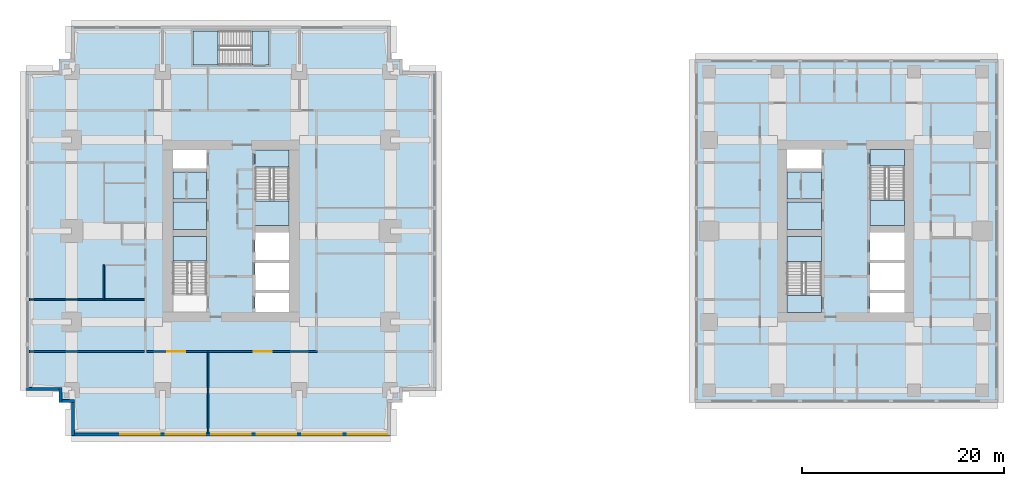
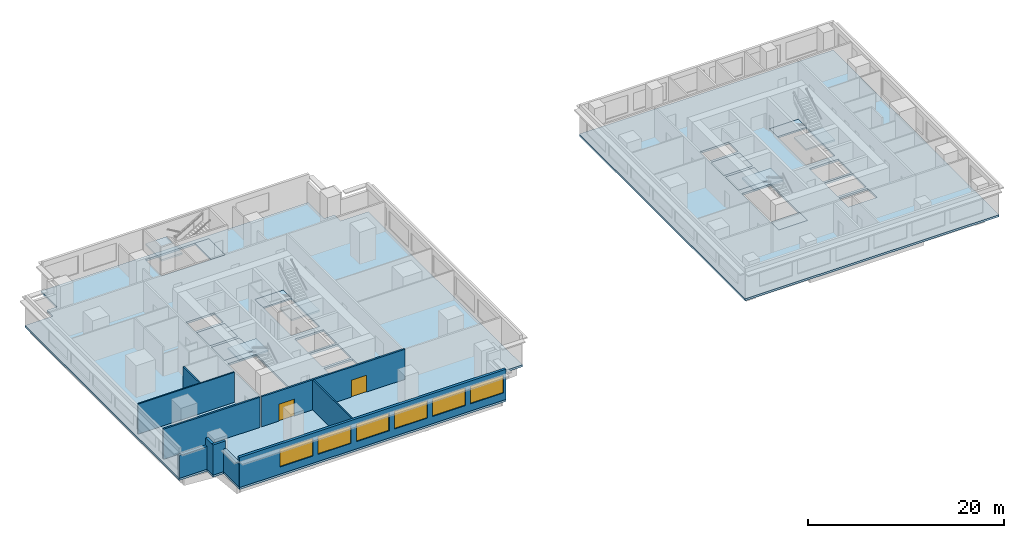
# One storey, part 2 of 11: 15 slabs, 10 walls, 6 windows, 2 doors, 8 openings, 5 elements without a shape of their own.
"""IFC4 building model written with IfcOpenShell, lengths in metres."""

from ifc_helpers import new_model, si_unit, direction, frame, frame_2d, origin, place, context, subcontext, project, spatial, polyline, rectangle, outline, extrude, material, layer, layer_set, type_object, element, fill, aggregate, save


model = new_model("IFC4")

# Units and contexts
model_context = context("Model", 3, precision=1e-05, world=origin(), true_north=direction((0.0, 1.0)))
body_context = subcontext(model_context, "Body", "Model", "MODEL_VIEW")
ifc_project = project(units=[si_unit("LENGTHUNIT", "METRE"), si_unit("AREAUNIT", "SQUARE_METRE"), si_unit("VOLUMEUNIT", "CUBIC_METRE"), si_unit("PLANEANGLEUNIT", "RADIAN"), si_unit("MASSUNIT", "GRAM", prefix="KILO")], contexts=[model_context])

# Site, building, storey
site_placement = place(None, origin())
site = spatial("IfcSite", under=ifc_project, at=site_placement, CompositionType="ELEMENT")
building_placement = place(site_placement, origin())
building = spatial("IfcBuilding", under=site, at=building_placement, Name="Namib Vertical Campus", CompositionType="ELEMENT")
storey_placement = place(building_placement, frame((0.0, 0.0, 217.0)))
storey = spatial("IfcBuildingStorey", under=building, at=storey_placement, Name="L51", CompositionType="ELEMENT", Elevation=217.0)

# Slabs
ifc_material_1 = material(Name="Concrete C40/50", Category="concrete")
ifc_layer_1 = layer(ifc_material_1, 0.25)
ifc_layer_set_1 = layer_set([ifc_layer_1], Name="Concrete C40/50")
slab_type_1 = type_object("IfcSlabType", Name="Floor slab 250", PredefinedType="FLOOR", material=ifc_layer_set_1)
slab_1_placement = place(storey_placement, frame((0.0, 0.0, -0.25)))
element("IfcSlab", 1, at=slab_1_placement, inside=storey, type_object=slab_type_1, Name="Floor slab A L51", PredefinedType="FLOOR", context=body_context, shape_type="SweptSolid", body=[
    extrude(outline(polyline([(4.5, 0.0), (36.0, 0.0), (36.0, 3.27490234375), (37.22509765625, 3.27490234375), (37.22509765625, 4.5), (40.5, 4.5), (40.5, 36.0), (37.22509765625, 36.0), (37.22509765625, 37.22509765625), (36.0, 37.22509765625), (36.0, 40.5), (4.5, 40.5), (4.5, 37.22509765625), (3.27490234375, 37.22509765625), (3.27490234375, 36.0), (0.0, 36.0), (0.0, 4.5), (3.27490234375, 4.5), (3.27490234375, 3.27490234375), (4.5, 3.27490234375), (4.5, 0.0)]), holes=[polyline([(14.5, 12.25), (17.85009765625, 12.25), (17.85009765625, 19.699951171875), (14.5, 19.699951171875), (14.5, 12.25)]), polyline([(22.64990234375, 20.800048828125), (26.0, 20.800048828125), (26.0, 28.25), (22.64990234375, 28.25), (22.64990234375, 20.800048828125)]), polyline([(22.64990234375, 12.25), (26.0, 12.25), (26.0, 14.10009765625), (22.64990234375, 14.10009765625), (22.64990234375, 12.25)]), polyline([(14.5, 20.39990234375), (17.85009765625, 20.39990234375), (17.85009765625, 23.10009765625), (14.5, 23.10009765625), (14.5, 20.39990234375)]), polyline([(14.5, 23.39990234375), (17.85009765625, 23.39990234375), (17.85009765625, 26.10009765625), (14.5, 26.10009765625), (14.5, 23.39990234375)]), polyline([(14.5, 26.39990234375), (17.85009765625, 26.39990234375), (17.85009765625, 28.25), (14.5, 28.25), (14.5, 26.39990234375)]), polyline([(22.64990234375, 14.39990234375), (26.0, 14.39990234375), (26.0, 17.10009765625), (22.64990234375, 17.10009765625), (22.64990234375, 14.39990234375)]), polyline([(22.64990234375, 17.39990234375), (26.0, 17.39990234375), (26.0, 20.10009765625), (22.64990234375, 20.10009765625), (22.64990234375, 17.39990234375)]), polyline([(16.5, 36.64990234375), (24.0, 36.64990234375), (24.0, 40.0), (16.5, 40.0), (16.5, 36.64990234375)])]), origin(), (0.0, 0.0, 1.0), 0.25),
])
slab_2_placement = place(storey_placement, frame((0.0, 0.0, -0.25)))
element("IfcSlab", 2, at=slab_2_placement, inside=storey, type_object=slab_type_1, Name="Floor slab B L51", PredefinedType="FLOOR", context=body_context, shape_type="SweptSolid", body=[
    extrude(outline(polyline([(66.10009765625, 3.300048828125), (96.050048828125, 3.300048828125), (96.050048828125, 37.199951171875), (66.10009765625, 37.199951171875), (66.10009765625, 3.300048828125)]), holes=[polyline([(75.199951171875, 12.199951171875), (78.60009765625, 12.199951171875), (78.60009765625, 19.699951171875), (75.199951171875, 19.699951171875), (75.199951171875, 12.199951171875)]), polyline([(83.39990234375, 20.800048828125), (86.800048828125, 20.800048828125), (86.800048828125, 28.300048828125), (83.39990234375, 28.300048828125), (83.39990234375, 20.800048828125)]), polyline([(83.39990234375, 12.199951171875), (86.800048828125, 12.199951171875), (86.800048828125, 14.10009765625), (83.39990234375, 14.10009765625), (83.39990234375, 12.199951171875)]), polyline([(75.199951171875, 20.39990234375), (78.60009765625, 20.39990234375), (78.60009765625, 23.10009765625), (75.199951171875, 23.10009765625), (75.199951171875, 20.39990234375)]), polyline([(75.199951171875, 23.39990234375), (78.60009765625, 23.39990234375), (78.60009765625, 26.10009765625), (75.199951171875, 26.10009765625), (75.199951171875, 23.39990234375)]), polyline([(75.199951171875, 26.39990234375), (78.60009765625, 26.39990234375), (78.60009765625, 28.300048828125), (75.199951171875, 28.300048828125), (75.199951171875, 26.39990234375)]), polyline([(83.39990234375, 14.39990234375), (86.800048828125, 14.39990234375), (86.800048828125, 17.10009765625), (83.39990234375, 17.10009765625), (83.39990234375, 14.39990234375)]), polyline([(83.39990234375, 17.39990234375), (86.800048828125, 17.39990234375), (86.800048828125, 20.10009765625), (83.39990234375, 20.10009765625), (83.39990234375, 17.39990234375)])]), origin(), (0.0, 0.0, 1.0), 0.25),
])
ifc_material_2 = material(Name="Concrete C40/50 precast", Category="concrete")
ifc_layer_2 = layer(ifc_material_2, 0.25)
ifc_layer_set_2 = layer_set([ifc_layer_2], Name="Concrete C40/50 precast")
slab_type_2 = type_object("IfcSlabType", Name="Shaft infill floor 250", PredefinedType="FLOOR", material=ifc_layer_set_2)
slab_3_placement = place(storey_placement, frame((0.0, 0.0, -0.25)))
element("IfcSlab", 3, at=slab_3_placement, inside=storey, type_object=slab_type_2, Name="Shaft infill floor A L51 P1", PredefinedType="FLOOR", context=body_context, shape_type="SweptSolid", body=[
    extrude(outline(polyline([(14.5, 20.39990234375), (17.85009765625, 20.39990234375), (17.85009765625, 23.10009765625), (14.5, 23.10009765625), (14.5, 20.39990234375)])), origin(), (0.0, 0.0, 1.0), 0.25),
])
slab_4_placement = place(storey_placement, frame((0.0, 0.0, -0.25)))
element("IfcSlab", 4, at=slab_4_placement, inside=storey, type_object=slab_type_2, Name="Shaft infill floor A L51 P2", PredefinedType="FLOOR", context=body_context, shape_type="SweptSolid", body=[
    extrude(outline(polyline([(14.5, 23.39990234375), (17.85009765625, 23.39990234375), (17.85009765625, 26.10009765625), (14.5, 26.10009765625), (14.5, 23.39990234375)])), origin(), (0.0, 0.0, 1.0), 0.25),
])
slab_5_placement = place(storey_placement, frame((0.0, 0.0, -0.25)))
element("IfcSlab", 5, at=slab_5_placement, inside=storey, type_object=slab_type_2, Name="Shaft infill floor B L51 P1", PredefinedType="FLOOR", context=body_context, shape_type="SweptSolid", body=[
    extrude(outline(polyline([(75.199951171875, 20.39990234375), (78.60009765625, 20.39990234375), (78.60009765625, 23.10009765625), (75.199951171875, 23.10009765625), (75.199951171875, 20.39990234375)])), origin(), (0.0, 0.0, 1.0), 0.25),
])
slab_6_placement = place(storey_placement, frame((0.0, 0.0, -0.25)))
element("IfcSlab", 6, at=slab_6_placement, inside=storey, type_object=slab_type_2, Name="Shaft infill floor B L51 P2", PredefinedType="FLOOR", context=body_context, shape_type="SweptSolid", body=[
    extrude(outline(polyline([(75.199951171875, 23.39990234375), (78.60009765625, 23.39990234375), (78.60009765625, 26.10009765625), (75.199951171875, 26.10009765625), (75.199951171875, 23.39990234375)])), origin(), (0.0, 0.0, 1.0), 0.25),
])

# Stair, slab
ifc_material_3 = material(Name="Concrete C40/50 precast", Category="concrete")
stair_type_1 = type_object("IfcStairType", Name="Exit stair 4000 rise 24 risers 3350 wide", PredefinedType="HALF_TURN_STAIR", material=ifc_material_3)
stair_1_placement = place(storey_placement, origin())
stair_1 = element("IfcStair", 7, at=stair_1_placement, inside=storey, type_object=stair_type_1, Name="Exit stair A-S1 L51", PredefinedType="HALF_TURN_STAIR")
ifc_material_4 = material(Name="Concrete C40/50", Category="concrete")
ifc_layer_3 = layer(ifc_material_4, 0.199951171875)
ifc_layer_set_3 = layer_set([ifc_layer_3], Name="Concrete C40/50")
slab_type_3 = type_object("IfcSlabType", Name="Stair landing 200", PredefinedType="LANDING", material=ifc_layer_set_3)
slab_7_placement = place(storey_placement, frame((0.0, 0.0, 1.800048828125)))
slab_7 = element("IfcSlab", 8, at=slab_7_placement, type_object=slab_type_3, Name="A-S1 landing 2", PredefinedType="LANDING", context=body_context, shape_type="SweptSolid", body=[
    extrude(outline(polyline([(14.5, 17.276123046875), (17.85009765625, 17.276123046875), (17.85009765625, 19.699951171875), (14.5, 19.699951171875), (14.5, 17.276123046875)])), origin(), (0.0, 0.0, 1.0), 0.199951171875),
])
aggregate(stair_1, [slab_7])

# Stair, slabs
stair_2_placement = place(storey_placement, origin())
stair_2 = element("IfcStair", 9, at=stair_2_placement, inside=storey, type_object=stair_type_1, Name="Exit stair A-S2 L51", PredefinedType="HALF_TURN_STAIR")
slab_8_placement = place(storey_placement, frame((0.0, 0.0, -0.199951171875)))
slab_8 = element("IfcSlab", 10, at=slab_8_placement, type_object=slab_type_3, Name="A-S2 landing 1", PredefinedType="LANDING", context=body_context, shape_type="SweptSolid", body=[
    extrude(outline(polyline([(22.64990234375, 26.59619140625), (26.0, 26.59619140625), (26.0, 28.25), (22.64990234375, 28.25), (22.64990234375, 26.59619140625)])), origin(), (0.0, 0.0, 1.0), 0.199951171875),
])
slab_9_placement = place(storey_placement, frame((0.0, 0.0, 1.800048828125)))
slab_9 = element("IfcSlab", 11, at=slab_9_placement, type_object=slab_type_3, Name="A-S2 landing 2", PredefinedType="LANDING", context=body_context, shape_type="SweptSolid", body=[
    extrude(outline(polyline([(22.64990234375, 20.800048828125), (26.0, 20.800048828125), (26.0, 23.223876953125), (22.64990234375, 23.223876953125), (22.64990234375, 20.800048828125)])), origin(), (0.0, 0.0, 1.0), 0.199951171875),
])
aggregate(stair_2, [slab_8, slab_9])

ifc_material_5 = material(Name="Concrete C40/50 precast", Category="concrete")
stair_type_2 = type_object("IfcStairType", Name="Exit stair 4000 rise 24 risers 3400 wide", PredefinedType="HALF_TURN_STAIR", material=ifc_material_5)
stair_3_placement = place(storey_placement, origin())
stair_3 = element("IfcStair", 12, at=stair_3_placement, inside=storey, type_object=stair_type_2, Name="Exit stair B-S1 L51", PredefinedType="HALF_TURN_STAIR")
slab_10_placement = place(storey_placement, frame((0.0, 0.0, -0.199951171875)))
slab_10 = element("IfcSlab", 13, at=slab_10_placement, type_object=slab_type_3, Name="B-S1 landing 1", PredefinedType="LANDING", context=body_context, shape_type="SweptSolid", body=[
    extrude(outline(polyline([(75.199951171875, 12.199951171875), (78.60009765625, 12.199951171875), (78.60009765625, 13.85400390625), (75.199951171875, 13.85400390625), (75.199951171875, 12.199951171875)])), origin(), (0.0, 0.0, 1.0), 0.199951171875),
])
slab_11_placement = place(storey_placement, frame((0.0, 0.0, 1.800048828125)))
slab_11 = element("IfcSlab", 14, at=slab_11_placement, type_object=slab_type_3, Name="B-S1 landing 2", PredefinedType="LANDING", context=body_context, shape_type="SweptSolid", body=[
    extrude(outline(polyline([(75.199951171875, 17.22607421875), (78.60009765625, 17.22607421875), (78.60009765625, 19.699951171875), (75.199951171875, 19.699951171875), (75.199951171875, 17.22607421875)])), origin(), (0.0, 0.0, 1.0), 0.199951171875),
])
aggregate(stair_3, [slab_10, slab_11])

stair_4_placement = place(storey_placement, origin())
stair_4 = element("IfcStair", 15, at=stair_4_placement, inside=storey, type_object=stair_type_2, Name="Exit stair B-S2 L51", PredefinedType="HALF_TURN_STAIR")
slab_12_placement = place(storey_placement, frame((0.0, 0.0, -0.199951171875)))
slab_12 = element("IfcSlab", 16, at=slab_12_placement, type_object=slab_type_3, Name="B-S2 landing 1", PredefinedType="LANDING", context=body_context, shape_type="SweptSolid", body=[
    extrude(outline(polyline([(83.39990234375, 26.64599609375), (86.800048828125, 26.64599609375), (86.800048828125, 28.300048828125), (83.39990234375, 28.300048828125), (83.39990234375, 26.64599609375)])), origin(), (0.0, 0.0, 1.0), 0.199951171875),
])
slab_13_placement = place(storey_placement, frame((0.0, 0.0, 1.800048828125)))
slab_13 = element("IfcSlab", 17, at=slab_13_placement, type_object=slab_type_3, Name="B-S2 landing 2", PredefinedType="LANDING", context=body_context, shape_type="SweptSolid", body=[
    extrude(outline(polyline([(83.39990234375, 20.800048828125), (86.800048828125, 20.800048828125), (86.800048828125, 23.27392578125), (83.39990234375, 23.27392578125), (83.39990234375, 20.800048828125)])), origin(), (0.0, 0.0, 1.0), 0.199951171875),
])
aggregate(stair_4, [slab_12, slab_13])

stair_5_placement = place(storey_placement, origin())
stair_5 = element("IfcStair", 18, at=stair_5_placement, inside=storey, type_object=stair_type_1, Name="Exit stair A-S3 L51", PredefinedType="HALF_TURN_STAIR")
slab_14_placement = place(storey_placement, frame((0.0, 0.0, -0.199951171875)))
slab_14 = element("IfcSlab", 19, at=slab_14_placement, type_object=slab_type_3, Name="A-S3 landing 1", PredefinedType="LANDING", context=body_context, shape_type="SweptSolid", body=[
    extrude(outline(polyline([(22.34619140625, 36.64990234375), (22.34619140625, 40.0), (24.0, 40.0), (24.0, 36.64990234375), (22.34619140625, 36.64990234375)])), origin(), (0.0, 0.0, 1.0), 0.199951171875),
])
slab_15_placement = place(storey_placement, frame((0.0, 0.0, 1.800048828125)))
slab_15 = element("IfcSlab", 20, at=slab_15_placement, type_object=slab_type_3, Name="A-S3 landing 2", PredefinedType="LANDING", context=body_context, shape_type="SweptSolid", body=[
    extrude(outline(polyline([(16.5, 36.64990234375), (16.5, 40.0), (18.973876953125, 40.0), (18.973876953125, 36.64990234375), (16.5, 36.64990234375)])), origin(), (0.0, 0.0, 1.0), 0.199951171875),
])
aggregate(stair_5, [slab_14, slab_15])

# Wall, openings, doors
ifc_material_6 = material(Name="Concrete masonry", Category="masonry")
ifc_layer_4 = layer(ifc_material_6, 0.199951171875)
ifc_layer_set_4 = layer_set([ifc_layer_4], Name="Corridor wall 200")
wall_type_1 = type_object("IfcWallType", Name="Corridor wall 200", PredefinedType="SOLIDWALL", material=ifc_layer_set_4)
wall_1_placement = place(storey_placement, frame((11.89990234375, 8.35009765625, 0.0), z_axis=(0.0, 0.0, 1.0), x_axis=(1.0, 0.0, 0.0)))
wall_1 = element("IfcWall", 21, at=wall_1_placement, inside=storey, type_object=wall_type_1, Name="Corridor wall A L51 CS", PredefinedType="SOLIDWALL", context=body_context, shape_type="SweptSolid", body=[
    extrude(rectangle(XDim=16.900146484375, YDim=0.199951171875, at=frame_2d((8.4501953125, 0.0))), origin(), (0.0, 0.0, 1.0), 3.75),
])
opening_1_placement = place(wall_1_placement, frame((2.050048828125, 0.0, 0.0)))
opening_1 = element("IfcOpeningElement", 22, at=opening_1_placement, cuts=wall_1, Name="Opening CD2", PredefinedType="OPENING", context=body_context, shape_type="SweptSolid", body=[
    extrude(rectangle(XDim=1.800048828125, YDim=2.10009765625, at=frame_2d((0.89990234375, 1.050048828125))), frame((0.0, 0.10986328125, 0.0), z_axis=(0.0, -1.0, 0.0), x_axis=(1.0, 0.0, 0.0)), (0.0, 0.0, 1.0), 0.219970703125),
])
opening_2_placement = place(wall_1_placement, frame((10.60009765625, 0.0, 0.0)))
opening_2 = element("IfcOpeningElement", 23, at=opening_2_placement, cuts=wall_1, Name="Opening CD2", PredefinedType="OPENING", context=body_context, shape_type="SweptSolid", body=[
    extrude(rectangle(XDim=1.800048828125, YDim=2.10009765625, at=frame_2d((0.89990234375, 1.050048828125))), frame((0.0, 0.10986328125, 0.0), z_axis=(0.0, -1.0, 0.0), x_axis=(1.0, 0.0, 0.0)), (0.0, 0.0, 1.0), 0.219970703125),
])
ifc_material_7 = material(Name="Timber fire door leaf", Category="wood")
door_type = type_object("IfcDoorType", Name="Corridor door double 1800x2100 20 min", OperationType="DOUBLE_DOOR_SINGLE_SWING", PredefinedType="DOOR", material=ifc_material_7)
door_1_placement = place(opening_1_placement, frame((1.800048828125, 0.0, 0.0), z_axis=(0.0, 0.0, 1.0), x_axis=(-1.0, 0.0, 0.0)))
door_1 = element("IfcDoor", 24, at=door_1_placement, inside=storey, type_object=door_type, Name="Door CD2 A51-01", OperationType="DOUBLE_DOOR_SINGLE_SWING", OverallHeight=2.10009765625, OverallWidth=1.800048828125, PredefinedType="DOOR", context=body_context, shape_type="SweptSolid", body=[
    extrude(rectangle(XDim=1.800048828125, YDim=2.10009765625, at=frame_2d((0.89990234375, 1.050048828125))), frame((0.0, 0.02490234375, 0.0), z_axis=(0.0, -1.0, 0.0), x_axis=(1.0, 0.0, 0.0)), (0.0, 0.0, 1.0), 0.050048828125),
])
fill(opening_1, door_1)
door_2_placement = place(opening_2_placement, frame((1.800048828125, 0.0, 0.0), z_axis=(0.0, 0.0, 1.0), x_axis=(-1.0, 0.0, 0.0)))
door_2 = element("IfcDoor", 25, at=door_2_placement, inside=storey, type_object=door_type, Name="Door CD2 A51-02", OperationType="DOUBLE_DOOR_SINGLE_SWING", OverallHeight=2.10009765625, OverallWidth=1.800048828125, PredefinedType="DOOR", context=body_context, shape_type="SweptSolid", body=[
    extrude(rectangle(XDim=1.800048828125, YDim=2.10009765625, at=frame_2d((0.89990234375, 1.050048828125))), frame((0.0, 0.02490234375, 0.0), z_axis=(0.0, -1.0, 0.0), x_axis=(1.0, 0.0, 0.0)), (0.0, 0.0, 1.0), 0.050048828125),
])
fill(opening_2, door_2)

# Wall
wall_2_placement = place(storey_placement, frame((0.300048828125, 8.35009765625, 0.0), z_axis=(0.0, 0.0, 1.0), x_axis=(1.0, 0.0, 0.0)))
element("IfcWall", 26, at=wall_2_placement, inside=storey, type_object=wall_type_1, Name="Partition A L51 BSW", PredefinedType="SOLIDWALL", context=body_context, shape_type="SweptSolid", body=[
    extrude(rectangle(XDim=11.39990234375, YDim=0.199951171875, at=frame_2d((5.699951171875, 0.0))), origin(), (0.0, 0.0, 1.0), 3.75),
])

# Wall, openings, windows
ifc_material_8 = material(Name="Concrete C40/50", Category="concrete")
ifc_layer_5 = layer(ifc_material_8, 0.300048828125)
ifc_layer_set_5 = layer_set([ifc_layer_5], Name="Concrete C40/50")
wall_type_2 = type_object("IfcWallType", Name="External wall 300 board-marked concrete", PredefinedType="STANDARD", material=ifc_layer_set_5)
wall_3_placement = place(storey_placement, frame((4.52001953125, 0.14990234375, 0.0), z_axis=(0.0, 0.0, 1.0), x_axis=(1.0, 0.0, 0.0)))
wall_3 = element("IfcWall", 27, at=wall_3_placement, inside=storey, type_object=wall_type_2, Name="External wall L51 F01", PredefinedType="STANDARD", context=body_context, shape_type="SweptSolid", body=[
    extrude(rectangle(XDim=31.4599609375, YDim=0.300048828125, at=frame_2d((15.72998046875, 0.0))), origin(), (0.0, 0.0, 1.0), 3.75),
])
opening_3_placement = place(wall_3_placement, frame((4.780029296875, 0.0, 0.89990234375)))
opening_3 = element("IfcOpeningElement", 28, at=opening_3_placement, cuts=wall_3, Name="Opening W1", PredefinedType="OPENING", context=body_context, shape_type="SweptSolid", body=[
    extrude(rectangle(XDim=3.89990234375, YDim=2.199951171875, at=frame_2d((1.949951171875, 1.10009765625))), frame((0.0, 0.159912109375, 0.0), z_axis=(0.0, -1.0, 0.0), x_axis=(1.0, 0.0, 0.0)), (0.0, 0.0, 1.0), 0.320068359375),
])
opening_4_placement = place(wall_3_placement, frame((9.280029296875, 0.0, 0.89990234375)))
opening_4 = element("IfcOpeningElement", 29, at=opening_4_placement, cuts=wall_3, Name="Opening W1", PredefinedType="OPENING", context=body_context, shape_type="SweptSolid", body=[
    extrude(rectangle(XDim=3.89990234375, YDim=2.199951171875, at=frame_2d((1.949951171875, 1.10009765625))), frame((0.0, 0.159912109375, 0.0), z_axis=(0.0, -1.0, 0.0), x_axis=(1.0, 0.0, 0.0)), (0.0, 0.0, 1.0), 0.320068359375),
])
opening_5_placement = place(wall_3_placement, frame((13.780029296875, 0.0, 0.89990234375)))
opening_5 = element("IfcOpeningElement", 30, at=opening_5_placement, cuts=wall_3, Name="Opening W1", PredefinedType="OPENING", context=body_context, shape_type="SweptSolid", body=[
    extrude(rectangle(XDim=3.89990234375, YDim=2.199951171875, at=frame_2d((1.949951171875, 1.10009765625))), frame((0.0, 0.159912109375, 0.0), z_axis=(0.0, -1.0, 0.0), x_axis=(1.0, 0.0, 0.0)), (0.0, 0.0, 1.0), 0.320068359375),
])
opening_6_placement = place(wall_3_placement, frame((18.280029296875, 0.0, 0.89990234375)))
opening_6 = element("IfcOpeningElement", 31, at=opening_6_placement, cuts=wall_3, Name="Opening W1", PredefinedType="OPENING", context=body_context, shape_type="SweptSolid", body=[
    extrude(rectangle(XDim=3.89990234375, YDim=2.199951171875, at=frame_2d((1.949951171875, 1.10009765625))), frame((0.0, 0.159912109375, 0.0), z_axis=(0.0, -1.0, 0.0), x_axis=(1.0, 0.0, 0.0)), (0.0, 0.0, 1.0), 0.320068359375),
])
opening_7_placement = place(wall_3_placement, frame((22.780029296875, 0.0, 0.89990234375)))
opening_7 = element("IfcOpeningElement", 32, at=opening_7_placement, cuts=wall_3, Name="Opening W1", PredefinedType="OPENING", context=body_context, shape_type="SweptSolid", body=[
    extrude(rectangle(XDim=3.89990234375, YDim=2.199951171875, at=frame_2d((1.949951171875, 1.10009765625))), frame((0.0, 0.159912109375, 0.0), z_axis=(0.0, -1.0, 0.0), x_axis=(1.0, 0.0, 0.0)), (0.0, 0.0, 1.0), 0.320068359375),
])
opening_8_placement = place(wall_3_placement, frame((27.280029296875, 0.0, 0.89990234375)))
opening_8 = element("IfcOpeningElement", 33, at=opening_8_placement, cuts=wall_3, Name="Opening W1", PredefinedType="OPENING", context=body_context, shape_type="SweptSolid", body=[
    extrude(rectangle(XDim=3.89990234375, YDim=2.199951171875, at=frame_2d((1.949951171875, 1.10009765625))), frame((0.0, 0.159912109375, 0.0), z_axis=(0.0, -1.0, 0.0), x_axis=(1.0, 0.0, 0.0)), (0.0, 0.0, 1.0), 0.320068359375),
])
ifc_material_9 = material(Name="Dark tinted glass in black aluminium frame", Category="aluminium")
window_type = type_object("IfcWindowType", Name="Ribbon window 3900x2200", PartitioningType="SINGLE_PANEL", PredefinedType="WINDOW", material=ifc_material_9)
window_1_placement = place(opening_3_placement, origin())
window_1 = element("IfcWindow", 34, at=window_1_placement, inside=storey, type_object=window_type, Name="Window W1 L51 F01-2", OverallHeight=2.199951171875, OverallWidth=3.89990234375, PartitioningType="SINGLE_PANEL", PredefinedType="WINDOW", context=body_context, shape_type="SweptSolid", body=[
    extrude(rectangle(XDim=3.89990234375, YDim=2.199951171875, at=frame_2d((1.949951171875, 1.10009765625))), frame((0.0, 0.030029296875, 0.0), z_axis=(0.0, -1.0, 0.0), x_axis=(1.0, 0.0, 0.0)), (0.0, 0.0, 1.0), 0.06005859375),
])
fill(opening_3, window_1)
window_2_placement = place(opening_4_placement, origin())
window_2 = element("IfcWindow", 35, at=window_2_placement, inside=storey, type_object=window_type, Name="Window W1 L51 F01-3", OverallHeight=2.199951171875, OverallWidth=3.89990234375, PartitioningType="SINGLE_PANEL", PredefinedType="WINDOW", context=body_context, shape_type="SweptSolid", body=[
    extrude(rectangle(XDim=3.89990234375, YDim=2.199951171875, at=frame_2d((1.949951171875, 1.10009765625))), frame((0.0, 0.030029296875, 0.0), z_axis=(0.0, -1.0, 0.0), x_axis=(1.0, 0.0, 0.0)), (0.0, 0.0, 1.0), 0.06005859375),
])
fill(opening_4, window_2)
window_3_placement = place(opening_5_placement, origin())
window_3 = element("IfcWindow", 36, at=window_3_placement, inside=storey, type_object=window_type, Name="Window W1 L51 F01-4", OverallHeight=2.199951171875, OverallWidth=3.89990234375, PartitioningType="SINGLE_PANEL", PredefinedType="WINDOW", context=body_context, shape_type="SweptSolid", body=[
    extrude(rectangle(XDim=3.89990234375, YDim=2.199951171875, at=frame_2d((1.949951171875, 1.10009765625))), frame((0.0, 0.030029296875, 0.0), z_axis=(0.0, -1.0, 0.0), x_axis=(1.0, 0.0, 0.0)), (0.0, 0.0, 1.0), 0.06005859375),
])
fill(opening_5, window_3)
window_4_placement = place(opening_6_placement, origin())
window_4 = element("IfcWindow", 37, at=window_4_placement, inside=storey, type_object=window_type, Name="Window W1 L51 F01-5", OverallHeight=2.199951171875, OverallWidth=3.89990234375, PartitioningType="SINGLE_PANEL", PredefinedType="WINDOW", context=body_context, shape_type="SweptSolid", body=[
    extrude(rectangle(XDim=3.89990234375, YDim=2.199951171875, at=frame_2d((1.949951171875, 1.10009765625))), frame((0.0, 0.030029296875, 0.0), z_axis=(0.0, -1.0, 0.0), x_axis=(1.0, 0.0, 0.0)), (0.0, 0.0, 1.0), 0.06005859375),
])
fill(opening_6, window_4)
window_5_placement = place(opening_7_placement, origin())
window_5 = element("IfcWindow", 38, at=window_5_placement, inside=storey, type_object=window_type, Name="Window W1 L51 F01-6", OverallHeight=2.199951171875, OverallWidth=3.89990234375, PartitioningType="SINGLE_PANEL", PredefinedType="WINDOW", context=body_context, shape_type="SweptSolid", body=[
    extrude(rectangle(XDim=3.89990234375, YDim=2.199951171875, at=frame_2d((1.949951171875, 1.10009765625))), frame((0.0, 0.030029296875, 0.0), z_axis=(0.0, -1.0, 0.0), x_axis=(1.0, 0.0, 0.0)), (0.0, 0.0, 1.0), 0.06005859375),
])
fill(opening_7, window_5)
window_6_placement = place(opening_8_placement, origin())
window_6 = element("IfcWindow", 39, at=window_6_placement, inside=storey, type_object=window_type, Name="Window W1 L51 F01-7", OverallHeight=2.199951171875, OverallWidth=3.89990234375, PartitioningType="SINGLE_PANEL", PredefinedType="WINDOW", context=body_context, shape_type="SweptSolid", body=[
    extrude(rectangle(XDim=3.89990234375, YDim=2.199951171875, at=frame_2d((1.949951171875, 1.10009765625))), frame((0.0, 0.030029296875, 0.0), z_axis=(0.0, -1.0, 0.0), x_axis=(1.0, 0.0, 0.0)), (0.0, 0.0, 1.0), 0.06005859375),
])
fill(opening_8, window_6)

# Walls
wall_4_placement = place(storey_placement, frame((0.02001953125, 4.64990234375, 0.0), z_axis=(0.0, 0.0, 1.0), x_axis=(1.0, 0.0, 0.0)))
element("IfcWall", 40, at=wall_4_placement, inside=storey, type_object=wall_type_2, Name="External wall L51 F17", PredefinedType="STANDARD", context=body_context, shape_type="SweptSolid", body=[
    extrude(rectangle(XDim=3.534912109375, YDim=0.300048828125, at=frame_2d((1.767578125, 0.0))), origin(), (0.0, 0.0, 1.0), 2.85009765625),
])
for number, where, z_axis, x_axis, name in (
    (41, (3.425048828125, 4.780029296875, 0.0), (0.0, 0.0, 1.0), (0.0, -1.0, 0.0), "External wall L51 F18"),
    (42, (3.294921875, 3.425048828125, 0.0), (0.0, 0.0, 1.0), (1.0, 0.0, 0.0), "External wall L51 F19"),
):
    element("IfcWall", number, at=place(storey_placement, frame(where, z_axis=z_axis, x_axis=x_axis)), inside=storey, type_object=wall_type_2, Name=name, PredefinedType="STANDARD", context=body_context, shape_type="SweptSolid", body=[
        extrude(rectangle(XDim=1.485107421875, YDim=0.300048828125, at=frame_2d((0.74267578125, 0.0))), origin(), (0.0, 0.0, 1.0), 3.75),
    ])
wall_5_placement = place(storey_placement, frame((4.64990234375, 3.554931640625, 0.0), z_axis=(0.0, 0.0, 1.0), x_axis=(0.0, -1.0, 0.0)))
element("IfcWall", 43, at=wall_5_placement, inside=storey, type_object=wall_type_2, Name="External wall L51 F20", PredefinedType="STANDARD", context=body_context, shape_type="SweptSolid", body=[
    extrude(rectangle(XDim=3.534912109375, YDim=0.300048828125, at=frame_2d((1.767578125, 0.0))), origin(), (0.0, 0.0, 1.0), 2.85009765625),
])
ifc_material_10 = material(Name="Gypsum board on steel studs", Category="steel")
ifc_layer_6 = layer(ifc_material_10, 0.14990234375)
ifc_layer_set_6 = layer_set([ifc_layer_6], Name="Gypsum board on steel studs")
wall_type_3 = type_object("IfcWallType", Name="Partition 150", PredefinedType="PARTITIONING", material=ifc_layer_set_6)
wall_6_placement = place(storey_placement, frame((18.0, 0.300048828125, 0.0), z_axis=(0.0, 0.0, 1.0), x_axis=(0.0, 1.0, 0.0)))
element("IfcWall", 44, at=wall_6_placement, inside=storey, type_object=wall_type_3, Name="Partition A L51 PS1", PredefinedType="PARTITIONING", context=body_context, shape_type="SweptSolid", body=[
    extrude(rectangle(XDim=7.949951171875, YDim=0.14990234375, at=frame_2d((3.97509765625, 0.0))), origin(), (0.0, 0.0, 1.0), 3.75),
])
wall_7_placement = place(storey_placement, frame((0.300048828125, 13.5, 0.0), z_axis=(0.0, 0.0, 1.0), x_axis=(1.0, 0.0, 0.0)))
element("IfcWall", 45, at=wall_7_placement, inside=storey, type_object=wall_type_3, Name="Partition A L51 PW1", PredefinedType="PARTITIONING", context=body_context, shape_type="SweptSolid", body=[
    extrude(rectangle(XDim=11.39990234375, YDim=0.14990234375, at=frame_2d((5.699951171875, 0.0))), origin(), (0.0, 0.0, 1.0), 3.75),
])
wall_8_placement = place(storey_placement, frame((7.699951171875, 13.5, 0.0), z_axis=(0.0, 0.0, 1.0), x_axis=(0.0, 1.0, 0.0)))
element("IfcWall", 46, at=wall_8_placement, inside=storey, type_object=wall_type_3, Name="Partition A L51 WB1", PredefinedType="PARTITIONING", context=body_context, shape_type="SweptSolid", body=[
    extrude(rectangle(XDim=3.39990234375, YDim=0.14990234375, at=frame_2d((1.699951171875, 0.0))), origin(), (0.0, 0.0, 1.0), 3.75),
])

save(model, "model.ifc")
